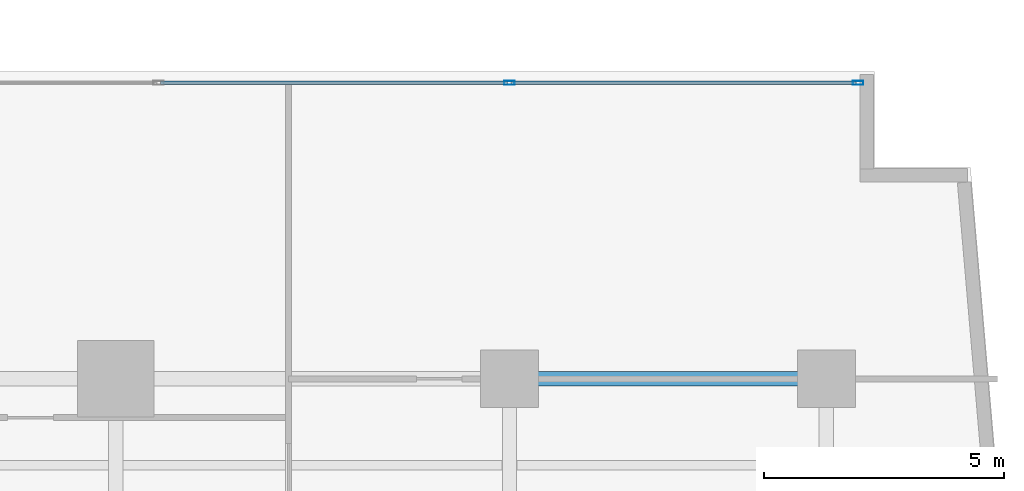
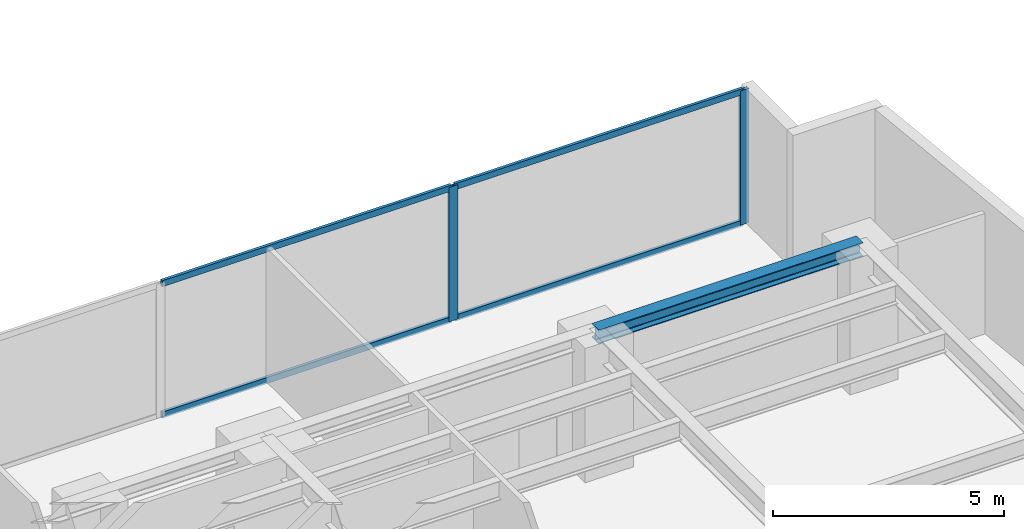
# One storey, part 14 of 26: 6 members, 1 beam, 1 element without a shape of its own.
"""IFC4 building model written with IfcOpenShell, lengths in metres."""

from ifc_helpers import new_model, si_unit, direction, frame, origin, origin_with_axes, origin_2d, place, context, subcontext, project, spatial, hollow_rectangle, i_section, extrude, source, transform, mapped, material, layer, layer_set, material_profile, profile_set, type_object, element, aggregate, save


model = new_model("IFC4")

# Units and contexts
model_context = context("Model", 3, precision=1e-05, world=origin(), true_north=direction((0.0, 1.0)))
body_context = subcontext(model_context, "Body", "Model", "MODEL_VIEW")
ifc_project = project(units=[si_unit("LENGTHUNIT", "METRE"), si_unit("AREAUNIT", "SQUARE_METRE"), si_unit("VOLUMEUNIT", "CUBIC_METRE"), si_unit("PLANEANGLEUNIT", "RADIAN"), si_unit("MASSUNIT", "GRAM", prefix="KILO")], contexts=[model_context])

# Site, building, storey
site_placement = place(None, origin())
site = spatial("IfcSite", under=ifc_project, at=site_placement, CompositionType="ELEMENT")
building_placement = place(site_placement, origin())
building = spatial("IfcBuilding", under=site, at=building_placement, Name="Kolvaren Waterfront Exchange", CompositionType="ELEMENT")
storey_placement = place(building_placement, frame((0.0, 0.0, 48.60009765625)))
storey = spatial("IfcBuildingStorey", under=building, at=storey_placement, Name="L12", CompositionType="ELEMENT", Elevation=48.60009765625)

# Beam
ifc_material_1 = material(Name="Steel S355", Category="steel")
ifc_material_profile_1 = material_profile(ifc_material_1, i_section(OverallWidth=0.300048828125, OverallDepth=0.360107421875, WebThickness=0.012451171875, FlangeThickness=0.0224609375, FilletRadius=0.027099609375, at=origin_2d()), Name="HEB360")
ifc_profile_set_1 = profile_set([ifc_material_profile_1], Name="Steel S355")
beam_type = type_object("IfcBeamType", Name="STR-BM-HEB360", PredefinedType="SPANDREL", material=ifc_profile_set_1)
beam_placement = place(storey_placement, frame((53.800048828125, 17.39990234375, 3.35986328125), z_axis=(1.0, 0.0, 0.0), x_axis=(0.0, 1.0, 0.0)))
element("IfcBeam", 1, at=beam_placement, inside=storey, type_object=beam_type, Name="L12 east-arm spandrel N5", PredefinedType="SPANDREL", context=body_context, shape_type="SweptSolid", body=[
    extrude(i_section(OverallWidth=0.300048828125, OverallDepth=0.360107421875, WebThickness=0.012451171875, FlangeThickness=0.0224609375, FilletRadius=0.027099609375, at=origin_2d()), origin(), (0.0, 0.0, 1.0), 6.599853515625),
])

# Curtain wall, members
ifc_material_2 = material(Name="Anodised bronze aluminium 6063-T6", Category="aluminium")
ifc_layer = layer(ifc_material_2, 0.219970703125, Name="Anodised bronze aluminium 6063-T6")
ifc_layer_set = layer_set([ifc_layer], Name="Anodised bronze aluminium 6063-T6")
curtain_wall_type = type_object("IfcCurtainWallType", Name="ARC-CW-SYS1", PredefinedType="USERDEFINED", material=ifc_layer_set)
curtain_wall_placement = place(storey_placement, origin())
curtain_wall = element("IfcCurtainWall", 2, at=curtain_wall_placement, inside=storey, type_object=curtain_wall_type, Name="L12 stick curtain wall CW1 (CW-L12-EN)", ObjectType="STICK CURTAIN WALL", PredefinedType="USERDEFINED")
ifc_material_3 = material(Name="Anodised aluminium 6063-T6", Category="aluminium")
ifc_material_profile_2 = material_profile(ifc_material_3, hollow_rectangle(XDim=0.080078125, YDim=0.219970703125, WallThickness=0.0048828125, at=origin_2d()), Name="ALU-MUL-220x80x5")
ifc_profile_set_2 = profile_set([ifc_material_profile_2], Name="Anodised aluminium 6063-T6")
member_type_1 = type_object("IfcMemberType", Name="ARC-CWM-220", PredefinedType="MULLION", material=ifc_profile_set_2)
shared_shape_1 = source(origin_with_axes(), body_context, "Body", "SweptSolid", [
    extrude(hollow_rectangle(XDim=0.080078125, YDim=0.219970703125, WallThickness=0.0048828125, at=origin_2d()), origin(), (0.0, 0.0, 1.0), 3.539794921875),
])
member_1_placement = place(storey_placement, frame((53.797607421875, 23.56005859375, 0.0), z_axis=(0.0, 0.0, 1.0), x_axis=(0.0, 1.0, 0.0)))
member_1 = element("IfcMember", 3, at=member_1_placement, type_object=member_type_1, Name="CW1 mullion 4", PredefinedType="MULLION", context=body_context, shape_type="MappedRepresentation", body=[
    mapped(shared_shape_1, transform((0.0, 0.0, 0.0), x_axis=(1.0, 0.0, 0.0), y_axis=(0.0, 1.0, 0.0), z_axis=(0.0, 0.0, 1.0), scale=1.0)),
])
member_2_placement = place(storey_placement, frame((61.06005859375, 23.56005859375, 0.0), z_axis=(0.0, 0.0, 1.0), x_axis=(0.0, 1.0, 0.0)))
member_2 = element("IfcMember", 4, at=member_2_placement, type_object=member_type_1, Name="CW1 mullion 5", PredefinedType="MULLION", context=body_context, shape_type="MappedRepresentation", body=[
    mapped(shared_shape_1, transform((0.0, 0.0, 0.0), x_axis=(1.0, 0.0, 0.0), y_axis=(0.0, 1.0, 0.0), z_axis=(0.0, 0.0, 1.0), scale=1.0)),
])
ifc_material_profile_3 = material_profile(ifc_material_3, hollow_rectangle(XDim=0.074951171875, YDim=0.159912109375, WallThickness=0.00439453125, at=origin_2d()), Name="ALU-TRN-160x75x4.5")
ifc_profile_set_3 = profile_set([ifc_material_profile_3], Name="Anodised aluminium 6063-T6")
member_type_2 = type_object("IfcMemberType", Name="ARC-CWT-160", PredefinedType="USERDEFINED", material=ifc_profile_set_3)
shared_shape_2 = source(origin_with_axes(), body_context, "Body", "SweptSolid", [
    extrude(hollow_rectangle(XDim=0.074951171875, YDim=0.159912109375, WallThickness=0.00439453125, at=origin_2d()), origin(), (0.0, 0.0, 1.0), 7.1826171875),
])
member_3_placement = place(storey_placement, frame((53.83740234375, 23.56005859375, 0.037353515625), z_axis=(1.0, 0.0, 0.0), x_axis=(0.0, 1.0, 0.0)))
member_3 = element("IfcMember", 5, at=member_3_placement, type_object=member_type_2, Name="CW1 transom 4.1", ObjectType="TRANSOM", PredefinedType="USERDEFINED", context=body_context, shape_type="MappedRepresentation", body=[
    mapped(shared_shape_2, transform((0.0, 0.0, 0.0), x_axis=(1.0, 0.0, 0.0), y_axis=(0.0, 1.0, 0.0), z_axis=(0.0, 0.0, 1.0), scale=1.0)),
])
member_4_placement = place(storey_placement, frame((53.83740234375, 23.56005859375, 3.50244140625), z_axis=(1.0, 0.0, 0.0), x_axis=(0.0, 1.0, 0.0)))
member_4 = element("IfcMember", 6, at=member_4_placement, type_object=member_type_2, Name="CW1 transom 4.2", ObjectType="TRANSOM", PredefinedType="USERDEFINED", context=body_context, shape_type="MappedRepresentation", body=[
    mapped(shared_shape_2, transform((0.0, 0.0, 0.0), x_axis=(1.0, 0.0, 0.0), y_axis=(0.0, 1.0, 0.0), z_axis=(0.0, 0.0, 1.0), scale=1.0)),
])
shared_shape_3 = source(origin_with_axes(), body_context, "Body", "SweptSolid", [
    extrude(hollow_rectangle(XDim=0.074951171875, YDim=0.159912109375, WallThickness=0.00439453125, at=origin_2d()), origin(), (0.0, 0.0, 1.0), 7.22265625),
])
member_5_placement = place(storey_placement, frame((46.534912109375, 23.56005859375, 0.037353515625), z_axis=(1.0, 0.0, 0.0), x_axis=(0.0, 1.0, 0.0)))
member_5 = element("IfcMember", 7, at=member_5_placement, type_object=member_type_2, Name="CW1 transom 3.1", ObjectType="TRANSOM", PredefinedType="USERDEFINED", context=body_context, shape_type="MappedRepresentation", body=[
    mapped(shared_shape_3, transform((0.0, 0.0, 0.0), x_axis=(1.0, 0.0, 0.0), y_axis=(0.0, 1.0, 0.0), z_axis=(0.0, 0.0, 1.0), scale=1.0)),
])
member_6_placement = place(storey_placement, frame((46.534912109375, 23.56005859375, 3.50244140625), z_axis=(1.0, 0.0, 0.0), x_axis=(0.0, 1.0, 0.0)))
member_6 = element("IfcMember", 8, at=member_6_placement, type_object=member_type_2, Name="CW1 transom 3.2", ObjectType="TRANSOM", PredefinedType="USERDEFINED", context=body_context, shape_type="MappedRepresentation", body=[
    mapped(shared_shape_3, transform((0.0, 0.0, 0.0), x_axis=(1.0, 0.0, 0.0), y_axis=(0.0, 1.0, 0.0), z_axis=(0.0, 0.0, 1.0), scale=1.0)),
])
aggregate(curtain_wall, [member_1, member_2, member_5, member_6, member_3, member_4])

save(model, "model.ifc")
